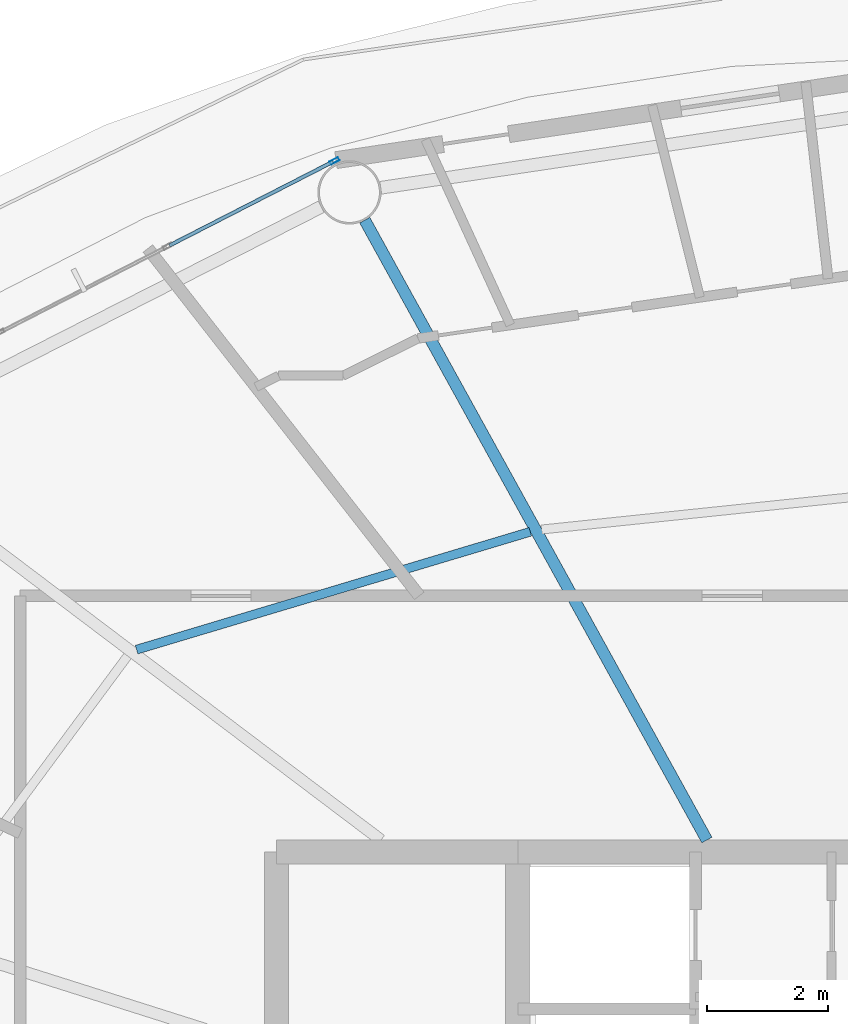
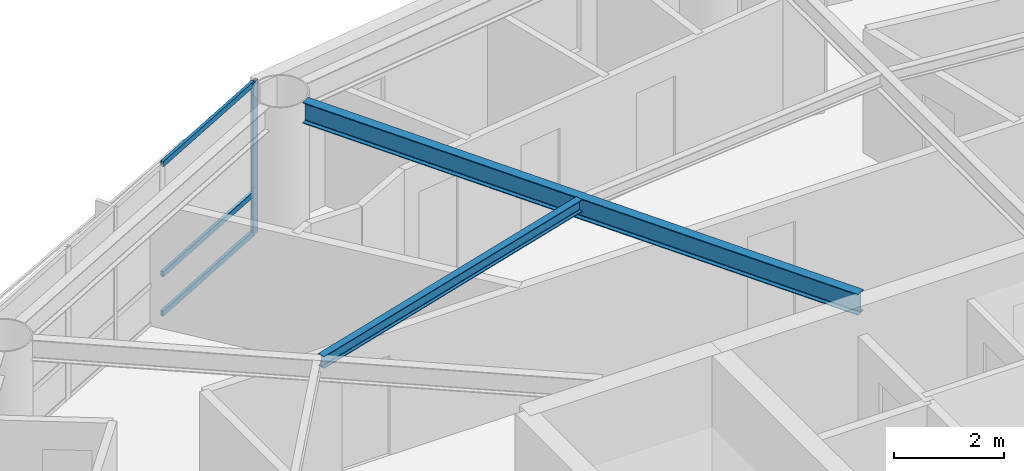
# One storey, part 9 of 23: 4 members, 2 beams, 1 element without a shape of its own.
"""IFC4 building model written with IfcOpenShell, lengths in metres."""

from ifc_helpers import new_model, si_unit, direction, frame, origin, origin_2d, place, context, subcontext, project, spatial, hollow_rectangle, i_section, extrude, material, layer, layer_set, material_profile, profile_set, type_object, element, aggregate, save


model = new_model("IFC4")

# Units and contexts
model_context = context("Model", 3, precision=1e-05, world=origin(), true_north=direction((0.0, 1.0)))
body_context = subcontext(model_context, "Body", "Model", "MODEL_VIEW")
ifc_project = project(units=[si_unit("LENGTHUNIT", "METRE"), si_unit("AREAUNIT", "SQUARE_METRE"), si_unit("VOLUMEUNIT", "CUBIC_METRE"), si_unit("PLANEANGLEUNIT", "RADIAN"), si_unit("MASSUNIT", "GRAM", prefix="KILO")], contexts=[model_context])

# Site, building, storey
site_placement = place(None, origin())
site = spatial("IfcSite", under=ifc_project, at=site_placement, CompositionType="ELEMENT")
building_placement = place(site_placement, origin())
building = spatial("IfcBuilding", under=site, at=building_placement, Name="Sarneth Arch Tower", CompositionType="ELEMENT")
storey_placement = place(building_placement, frame((0.0, 0.0, 238.800048828125)))
storey = spatial("IfcBuildingStorey", under=building, at=storey_placement, Name="L61", CompositionType="ELEMENT", Elevation=238.800048828125)

# Beams
ifc_material_1 = material(Name="Steel S355", Category="steel")
ifc_material_profile_1 = material_profile(ifc_material_1, i_section(OverallWidth=0.14794921875, OverallDepth=0.26611328125, WebThickness=0.007568359375, FlangeThickness=0.012939453125, FilletRadius=0.012939453125, at=origin_2d()), Name="W250x44.8")
ifc_profile_set_1 = profile_set([ifc_material_profile_1], Name="Steel S355")
beam_type_1 = type_object("IfcBeamType", Name="BM-JOIST-250", PredefinedType="JOIST", material=ifc_profile_set_1)
beam_1_placement = place(storey_placement, frame((41.20751953125, 54.11181640625, 3.22705078125), z_axis=(-0.957984908347, -0.286818610589, 0.0), x_axis=(0.286818610589, -0.957984908347, 0.0)))
element("IfcBeam", 1, at=beam_1_placement, inside=storey, type_object=beam_type_1, Name="L61 Secondary floor joist 06", PredefinedType="JOIST", context=body_context, shape_type="SweptSolid", body=[
    extrude(i_section(OverallWidth=0.14794921875, OverallDepth=0.26611328125, WebThickness=0.007568359375, FlangeThickness=0.012939453125, FilletRadius=0.012939453125, at=origin_2d()), origin(), (0.0, 0.0, 1.0), 6.81396484375),
])
ifc_material_2 = material(Name="Steel S355", Category="steel")
ifc_material_profile_2 = material_profile(ifc_material_2, i_section(OverallWidth=0.19189453125, OverallDepth=0.462890625, WebThickness=0.010498046875, FlangeThickness=0.017578125, FilletRadius=0.01806640625, at=origin_2d()), Name="W460x89")
ifc_profile_set_2 = profile_set([ifc_material_profile_2], Name="Steel S355")
beam_type_2 = type_object("IfcBeamType", Name="BM-RAD-460B", PredefinedType="BEAM", material=ifc_profile_set_2)
beam_2_placement = place(storey_placement, frame((44.13623046875, 49.0, 3.12841796875), z_axis=(-0.483225760768, 0.875495781903, 0.0), x_axis=(-0.875495781903, -0.483225760768, 0.0)))
element("IfcBeam", 2, at=beam_2_placement, inside=storey, type_object=beam_type_2, Name="L61 Radial floor girder 06", PredefinedType="BEAM", context=body_context, shape_type="SweptSolid", body=[
    extrude(i_section(OverallWidth=0.19189453125, OverallDepth=0.462890625, WebThickness=0.010498046875, FlangeThickness=0.017578125, FilletRadius=0.01806640625, at=origin_2d()), origin(), (0.0, 0.0, 1.0), 11.740478515625),
])

# Curtain wall, members
ifc_material_3 = material(Name="Anodised aluminium Type AA25 and solar-control low-e laminated IGU", Category="aluminium")
ifc_layer = layer(ifc_material_3, 0.179931640625)
ifc_layer_set = layer_set([ifc_layer], Name="Anodised aluminium Type AA25 and solar-control low-e laminated IGU")
curtain_wall_type = type_object("IfcCurtainWallType", Name="CW-RES-HIGH", PredefinedType="NOTDEFINED", material=ifc_layer_set)
curtain_wall_placement = place(storey_placement, origin())
curtain_wall = element("IfcCurtainWall", 3, at=curtain_wall_placement, inside=storey, type_object=curtain_wall_type, Name="L61 Unitised curtain wall facet 06", PredefinedType="NOTDEFINED")
ifc_material_4 = material(Name="Anodised Aluminium 6063-T6", Category="aluminium")
ifc_material_profile_3 = material_profile(ifc_material_4, hollow_rectangle(XDim=0.06005859375, YDim=0.159912109375, WallThickness=0.00390625, at=origin_2d()), Name="AL-MULL-160x60x4")
ifc_profile_set_3 = profile_set([ifc_material_profile_3], Name="Anodised Aluminium 6063-T6")
member_type_1 = type_object("IfcMemberType", Name="CW-MULLION", PredefinedType="MULLION", material=ifc_profile_set_3)
member_1_placement = place(storey_placement, frame((37.960693359375, 60.2607421875, 0.0), z_axis=(0.0, 0.0, 1.0), x_axis=(0.455941901753, -0.890009540525, 0.0)))
member_1 = element("IfcMember", 4, at=member_1_placement, type_object=member_type_1, Name="CW-SYS-6 mullion 1", PredefinedType="MULLION", context=body_context, shape_type="SweptSolid", body=[
    extrude(hollow_rectangle(XDim=0.06005859375, YDim=0.159912109375, WallThickness=0.00390625, at=origin_2d()), origin(), (0.0, 0.0, 1.0), 3.35986328125),
])
ifc_material_5 = material(Name="Anodised Aluminium 6063-T6", Category="aluminium")
ifc_material_profile_4 = material_profile(ifc_material_5, hollow_rectangle(XDim=0.06005859375, YDim=0.1201171875, WallThickness=0.00390625, at=origin_2d()), Name="AL-TRAN-120x60x4")
ifc_profile_set_4 = profile_set([ifc_material_profile_4], Name="Anodised Aluminium 6063-T6")
member_type_2 = type_object("IfcMemberType", Name="CW-TRANSOM", PredefinedType="USERDEFINED", material=ifc_profile_set_4)
member_2_placement = place(storey_placement, frame((37.933837890625, 60.2470703125, 0.030029296875), z_axis=(-0.889973523166, -0.456012201662, 0.0), x_axis=(0.456012201662, -0.889973523166, 0.0)))
member_2 = element("IfcMember", 5, at=member_2_placement, type_object=member_type_2, Name="CW-SYS-6 transom 1.1", ObjectType="TRANSOM", PredefinedType="USERDEFINED", context=body_context, shape_type="SweptSolid", body=[
    extrude(hollow_rectangle(XDim=0.06005859375, YDim=0.1201171875, WallThickness=0.00390625, at=origin_2d()), origin(), (0.0, 0.0, 1.0), 3.044677734375),
])
member_3_placement = place(storey_placement, frame((37.933837890625, 60.2470703125, 0.89990234375), z_axis=(-0.889973523166, -0.456012201662, 0.0), x_axis=(0.456012201662, -0.889973523166, 0.0)))
member_3 = element("IfcMember", 6, at=member_3_placement, type_object=member_type_2, Name="CW-SYS-6 transom 1.2", ObjectType="TRANSOM", PredefinedType="USERDEFINED", context=body_context, shape_type="SweptSolid", body=[
    extrude(hollow_rectangle(XDim=0.06005859375, YDim=0.1201171875, WallThickness=0.00390625, at=origin_2d()), origin(), (0.0, 0.0, 1.0), 3.044677734375),
])
member_4_placement = place(storey_placement, frame((37.933837890625, 60.2470703125, 3.329833984375), z_axis=(-0.889973523166, -0.456012201662, 0.0), x_axis=(0.456012201662, -0.889973523166, 0.0)))
member_4 = element("IfcMember", 7, at=member_4_placement, type_object=member_type_2, Name="CW-SYS-6 transom 1.3", ObjectType="TRANSOM", PredefinedType="USERDEFINED", context=body_context, shape_type="SweptSolid", body=[
    extrude(hollow_rectangle(XDim=0.06005859375, YDim=0.1201171875, WallThickness=0.00390625, at=origin_2d()), origin(), (0.0, 0.0, 1.0), 3.044677734375),
])
aggregate(curtain_wall, [member_1, member_2, member_3, member_4])

save(model, "model.ifc")
